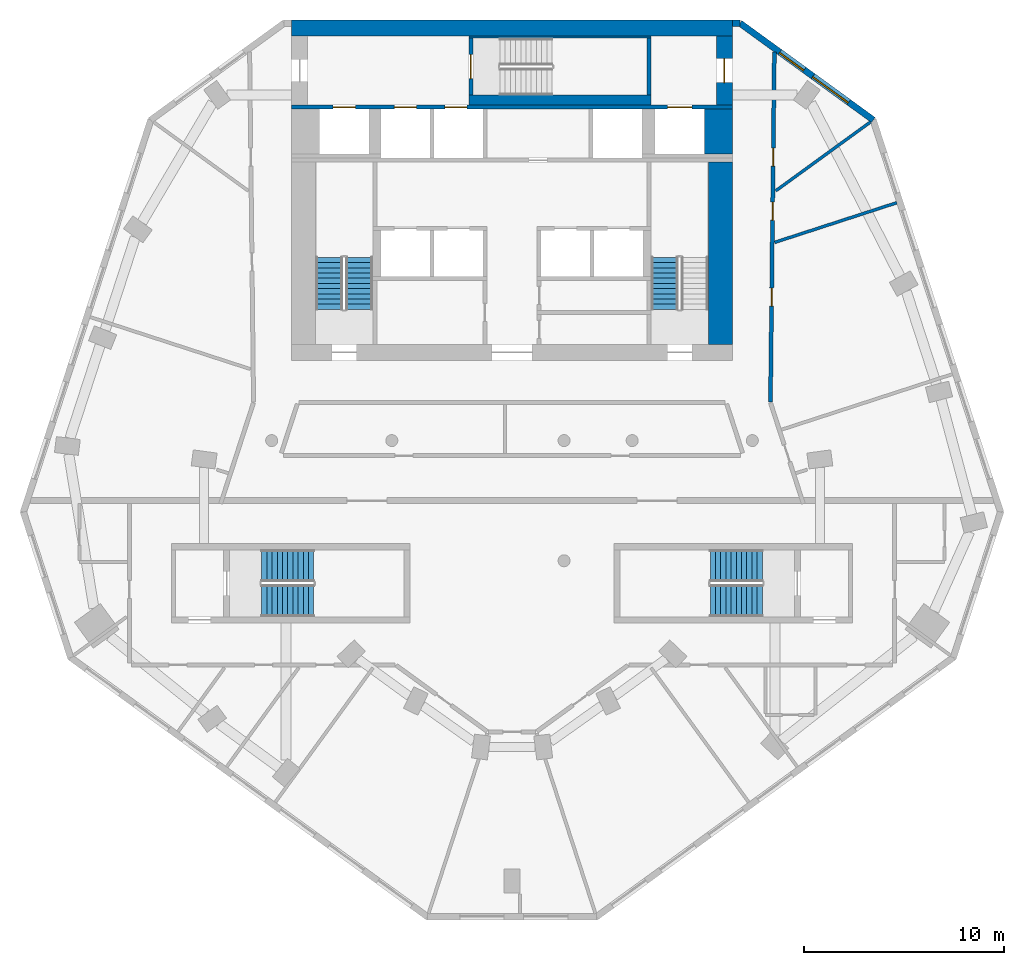
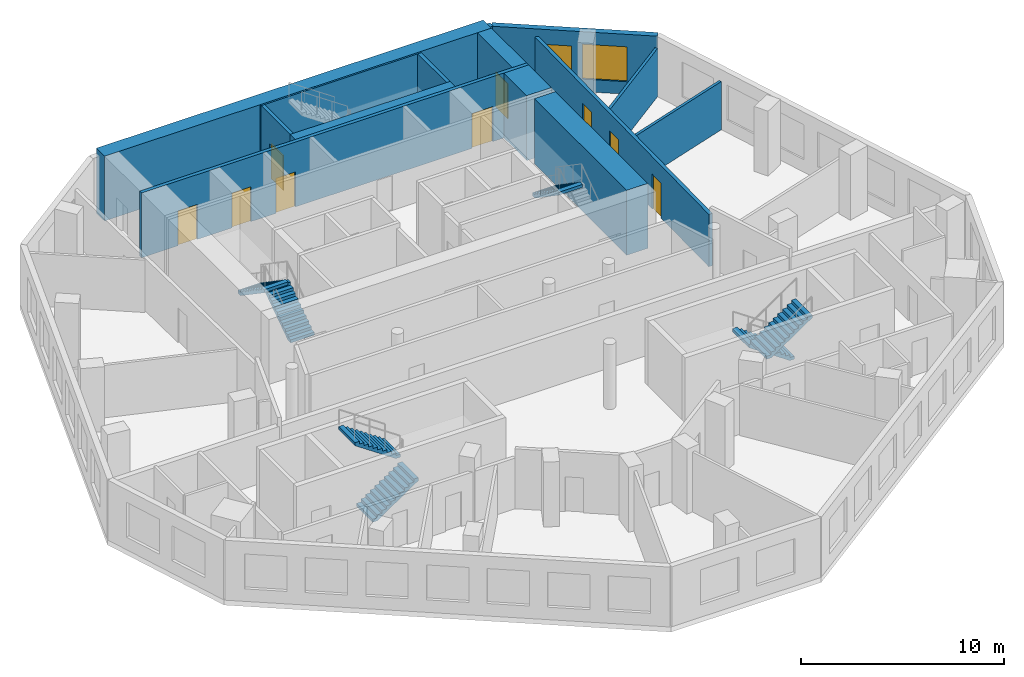
# One storey, part 6 of 9: 14 walls, 9 doors, 7 stair flights, 2 windows, 11 openings, 4 elements without a shape of their own.
"""IFC4 building model written with IfcOpenShell, lengths in metres."""

import ifcopenshell
import ifcopenshell.guid

model = None  # the IFC model being written
_history = None  # IfcOwnerHistory: only IFC2X3 demands one
_inside = {}  # id of a spatial element -> (the spatial element, [elements in it])
_under = {}  # id of a project, library or spatial element -> (it, [spatial elements below it])
_declared = {}  # id of a project -> (the project, [libraries it declares])
_typed = {}  # id of a type object -> (the type object, [elements of that type])
_made_of = {}  # id of a material, layer set ... -> (it, [elements and type objects made of it])


def new_model(schema):
    """Start an empty IFC model of exactly this schema.

    Asked for "IFC4X3", IfcOpenShell would pick the latest addendum, in which some entities
    have other attributes; the version numbers below select the first issue.
    IFC2X3 requires an IfcOwnerHistory on every rooted entity: one is made here for all.
    """
    global model, _history
    if schema == "IFC4X3":
        model = ifcopenshell.file(schema_version=(4, 3, 0, 0))
    else:
        model = ifcopenshell.file(schema=schema)
    _inside.clear()
    _under.clear()
    _declared.clear()
    _typed.clear()
    _made_of.clear()
    _history = None
    if model.schema == "IFC2X3":
        org = make("IfcOrganization", Name="unknown")
        user = make(
            "IfcPersonAndOrganization",
            ThePerson=make("IfcPerson", FamilyName="unknown"),
            TheOrganization=org,
        )
        app = make(
            "IfcApplication",
            ApplicationDeveloper=org,
            Version="unknown",
            ApplicationFullName="unknown",
            ApplicationIdentifier="unknown",
        )
        _history = make(
            "IfcOwnerHistory",
            OwningUser=user,
            OwningApplication=app,
            ChangeAction="ADDED",
            CreationDate=0,
        )
    return model


def make(cls, **values):
    """One entity of the class cls with the attributes given. An attribute that is None is left unset."""
    return model.create_entity(
        cls, **{name: value for name, value in values.items() if value is not None}
    )


def rooted(cls, **values):
    """An entity with a GlobalId (a new one), such as an element, a storey or a relation."""
    return make(cls, GlobalId=ifcopenshell.guid.new(), OwnerHistory=_history, **values)


def si_unit(unit_type, name, prefix=None):
    """IfcSIUnit, for example si_unit("LENGTHUNIT", "METRE", prefix="MILLI")."""
    return make("IfcSIUnit", UnitType=unit_type, Prefix=prefix, Name=name)


def assignment(units):
    """IfcUnitAssignment: the units of a project."""
    return None if units is None else make("IfcUnitAssignment", Units=units)


def point(xyz):
    """IfcCartesianPoint."""
    return None if xyz is None else make("IfcCartesianPoint", Coordinates=xyz)


def direction(xyz):
    """IfcDirection."""
    return None if xyz is None else make("IfcDirection", DirectionRatios=xyz)


def frame(location, z_axis=None, x_axis=None):
    """IfcAxis2Placement3D, a coordinate frame: its origin and axes. An axis left out is left unset."""
    return make(
        "IfcAxis2Placement3D",
        Location=point(location),
        Axis=direction(z_axis),
        RefDirection=direction(x_axis),
    )


def frame_2d(location, x_axis=None):
    """IfcAxis2Placement2D, a coordinate frame in the plane: its origin and x axis."""
    return make(
        "IfcAxis2Placement2D", Location=point(location), RefDirection=direction(x_axis)
    )


def origin():
    """The frame at (0, 0, 0) with its axes left unset."""
    return frame((0.0, 0.0, 0.0))


def place(relative_to, where):
    """IfcLocalPlacement: puts the frame where relative to a parent placement (None: the world)."""
    return make(
        "IfcLocalPlacement", PlacementRelTo=relative_to, RelativePlacement=where
    )


def context(
    kind, dimensions, precision=None, world=None, true_north=None, identifier=None
):
    """IfcGeometricRepresentationContext, for example the 3D "Model" context."""
    return make(
        "IfcGeometricRepresentationContext",
        ContextIdentifier=identifier,
        ContextType=kind,
        CoordinateSpaceDimension=dimensions,
        Precision=precision,
        WorldCoordinateSystem=world,
        TrueNorth=true_north,
    )


def subcontext(parent, identifier, kind, view, scale=None):
    """IfcGeometricRepresentationSubContext, for example "Body" below "Model"."""
    return make(
        "IfcGeometricRepresentationSubContext",
        ContextIdentifier=identifier,
        ContextType=kind,
        ParentContext=parent,
        TargetScale=scale,
        TargetView=view,
    )


def project(units=None, contexts=None):
    """IfcProject with its units and contexts."""
    return rooted(
        "IfcProject",
        Name="project",
        RepresentationContexts=contexts,
        UnitsInContext=assignment(units),
    )


def spatial(cls, under=None, at=None, **own):
    """A site, building, storey or space (cls), placed at a placement, below another one or the project."""
    s = rooted(cls, ObjectPlacement=at, **own)
    if under is not None:
        _under.setdefault(under.id(), (under, []))[1].append(s)
    return s


def polyline(points):
    """IfcPolyline through the points."""
    return make("IfcPolyline", Points=[point(p) for p in points])


def profile(cls, at=None, kind="AREA", **sizes):
    """A parametric profile (cls). Its sizes go by their IFC names, for example OverallWidth=200.0."""
    return make(cls, ProfileType=kind, Position=at, **sizes)


def rectangle(**sizes):
    """IfcRectangleProfileDef."""
    return profile("IfcRectangleProfileDef", **sizes)


def outline(outer, holes=None, kind="AREA"):
    """IfcArbitraryClosedProfileDef: a profile drawn as a closed curve; with holes, ...WithVoids."""
    if holes is None:
        return make("IfcArbitraryClosedProfileDef", ProfileType=kind, OuterCurve=outer)
    return make(
        "IfcArbitraryProfileDefWithVoids",
        ProfileType=kind,
        OuterCurve=outer,
        InnerCurves=holes,
    )


def extrude(swept, where, along, depth):
    """IfcExtrudedAreaSolid: the profile swept, set in the frame where, extruded along a direction by depth."""
    return make(
        "IfcExtrudedAreaSolid",
        SweptArea=swept,
        Position=where,
        ExtrudedDirection=direction(along),
        Depth=depth,
    )


def shape(context_of_items, identifier, shape_type, items):
    """IfcShapeRepresentation: the items that make up one representation, for example the "Body"."""
    return make(
        "IfcShapeRepresentation",
        ContextOfItems=context_of_items,
        RepresentationIdentifier=identifier,
        RepresentationType=shape_type,
        Items=items,
    )


def material(Name=None, Category=None):
    """IfcMaterial."""
    return make("IfcMaterial", Name=Name, Category=Category)


def layer(
    of_material, thickness, ventilated=None, Name=None, Category=None, Priority=None
):
    """IfcMaterialLayer: one layer of a wall or slab, of a material (None: an air gap)."""
    return make(
        "IfcMaterialLayer",
        Material=of_material,
        LayerThickness=thickness,
        IsVentilated=ventilated,
        Name=Name,
        Category=Category,
        Priority=Priority,
    )


def layer_set(layers, Name=None):
    """IfcMaterialLayerSet."""
    return make("IfcMaterialLayerSet", MaterialLayers=layers, LayerSetName=Name)


def made_of(thing, what):
    """Note that an element or type object is made of a material, layer set ...; save() writes the relation."""
    if what is not None:
        _made_of.setdefault(what.id(), (what, []))[1].append(thing)
    return thing


def type_object(cls, material=None, **own):
    """A type object (cls), such as IfcWallType, which elements share."""
    return made_of(rooted(cls, **own), material)


def element(
    cls,
    number,
    at=None,
    inside=None,
    cuts=None,
    type_object=None,
    material=None,
    context=None,
    identifier="Body",
    shape_type=None,
    held_by="IfcProductDefinitionShape",
    body=None,
    shapes=None,
    **own,
):
    """One element of the class cls, such as IfcWall. Its Tag is "e" and its number.

    at: its placement. inside: the storey or other place that contains it. cuts: it is an
    opening in that element (IfcRelVoidsElement). A single representation is given by context,
    identifier, shape_type and body (its items); several are given by shapes. held_by: the class
    of the entity that holds the representations. save() writes the other relations.
    """
    e = rooted(cls, Tag="e%d" % number, ObjectPlacement=at, **own)
    if body is not None:
        shapes = [shape(context, identifier, shape_type, body)]
    if shapes is not None:
        e.Representation = make(held_by, Representations=shapes)
    if inside is not None:
        _inside.setdefault(inside.id(), (inside, []))[1].append(e)
    if cuts is not None:
        rooted(
            "IfcRelVoidsElement", RelatingBuildingElement=cuts, RelatedOpeningElement=e
        )
    if type_object is not None:
        _typed.setdefault(type_object.id(), (type_object, []))[1].append(e)
    return made_of(e, material)


def fill(opening, filler):
    """IfcRelFillsElement: the door or window that sits in an opening."""
    return rooted(
        "IfcRelFillsElement",
        RelatingOpeningElement=opening,
        RelatedBuildingElement=filler,
    )


def aggregate(whole, parts):
    """IfcRelAggregates: a whole, such as a stair, and the parts it consists of."""
    return rooted("IfcRelAggregates", RelatingObject=whole, RelatedObjects=parts)


def save(model, path):
    """Write the relations noted so far, then the file.

    IfcRelAggregates (storeys below a building ...), IfcRelContainedInSpatialStructure (elements
    in a storey), IfcRelDefinesByType, IfcRelAssociatesMaterial and IfcRelDeclares: one each for
    every whole, place, type object, material and project.
    """
    for whole, parts in _under.values():
        aggregate(whole, parts)
    for where, things in _inside.values():
        rooted(
            "IfcRelContainedInSpatialStructure",
            RelatedElements=things,
            RelatingStructure=where,
        )
    for kind, things in _typed.values():
        rooted("IfcRelDefinesByType", RelatedObjects=things, RelatingType=kind)
    for what, things in _made_of.values():
        rooted("IfcRelAssociatesMaterial", RelatedObjects=things, RelatingMaterial=what)
    for by, libraries in _declared.values():
        rooted("IfcRelDeclares", RelatingContext=by, RelatedDefinitions=libraries)
    model.write(path)


model = new_model("IFC4")

# Units and contexts
model_context = context("Model", 3, precision=1e-05, world=origin(), true_north=direction((0.0, 1.0)))
body_context = subcontext(model_context, "Body", "Model", "MODEL_VIEW")
ifc_project = project(units=[si_unit("LENGTHUNIT", "METRE"), si_unit("AREAUNIT", "SQUARE_METRE"), si_unit("VOLUMEUNIT", "CUBIC_METRE"), si_unit("PLANEANGLEUNIT", "RADIAN"), si_unit("MASSUNIT", "GRAM", prefix="KILO")], contexts=[model_context])

# Site, building, storey
site_placement = place(None, origin())
site = spatial("IfcSite", under=ifc_project, at=site_placement, CompositionType="ELEMENT")
building_placement = place(site_placement, origin())
building = spatial("IfcBuilding", under=site, at=building_placement, Name="White Candle Pilgrim Tower", CompositionType="ELEMENT")
storey_placement = place(building_placement, frame((0.0, 0.0, 227.699951171875)))
storey = spatial("IfcBuildingStorey", under=building, at=storey_placement, Name="L53", CompositionType="ELEMENT", Elevation=227.699951171875)

# Wall
ifc_material_1 = material(Name="Concrete C50/60", Category="concrete")
ifc_layer_1 = layer(ifc_material_1, 1.39990234375)
ifc_layer_set_1 = layer_set([ifc_layer_1], Name="Core wall 1400 mm Concrete C50/60")
wall_type_1 = type_object("IfcWallType", Name="Core wall 1400 mm Concrete C50/60", PredefinedType="SHEAR", material=ifc_layer_set_1)
wall_1_placement = place(storey_placement, frame((80.300048828125, 81.300048828125, 0.0), z_axis=(0.0, 0.0, 1.0), x_axis=(0.0, 1.0, 0.0)))
element("IfcWall", 1, at=wall_1_placement, inside=storey, type_object=wall_type_1, Name="WL-L53-C42", PredefinedType="SHEAR", context=body_context, shape_type="SweptSolid", body=[
    extrude(rectangle(XDim=2.25, YDim=1.39990234375, at=frame_2d((1.125, 0.0))), origin(), (0.0, 0.0, 1.0), 3.900146484375),
])

# Wall, openings, doors
ifc_layer_2 = layer(ifc_material_1, 0.199951171875)
ifc_layer_set_2 = layer_set([ifc_layer_2], Name="Core wall 200 mm Concrete C50/60")
wall_type_2 = type_object("IfcWallType", Name="Core wall 200 mm Concrete C50/60", PredefinedType="SHEAR", material=ifc_layer_set_2)
wall_2_placement = place(storey_placement, frame((59.0, 83.64990234375, 0.0), z_axis=(0.0, 0.0, 1.0), x_axis=(1.0, 0.0, 0.0)))
wall_2 = element("IfcWall", 2, at=wall_2_placement, inside=storey, type_object=wall_type_2, Name="WL-L53-C43", PredefinedType="SHEAR", context=body_context, shape_type="SweptSolid", body=[
    extrude(rectangle(XDim=22.0, YDim=0.199951171875, at=frame_2d((11.0, 0.0))), origin(), (0.0, 0.0, 1.0), 3.900146484375),
])
opening_1_placement = place(wall_2_placement, frame((5.125, 0.0, 0.0)))
opening_1 = element("IfcOpeningElement", 3, at=opening_1_placement, cuts=wall_2, Name="Opening T16-018", PredefinedType="OPENING", context=body_context, shape_type="SweptSolid", body=[
    extrude(rectangle(XDim=1.10009765625, YDim=2.10009765625, at=frame_2d((0.550048828125, 1.050048828125))), frame((0.0, 0.10986328125, 0.0), z_axis=(0.0, -1.0, 0.0), x_axis=(1.0, 0.0, 0.0)), (0.0, 0.0, 1.0), 0.219970703125),
])
opening_2_placement = place(wall_2_placement, frame((7.64990234375, 0.0, 0.0)))
opening_2 = element("IfcOpeningElement", 4, at=opening_2_placement, cuts=wall_2, Name="Opening T16-019", PredefinedType="OPENING", context=body_context, shape_type="SweptSolid", body=[
    extrude(rectangle(XDim=1.10009765625, YDim=2.10009765625, at=frame_2d((0.550048828125, 1.050048828125))), frame((0.0, 0.10986328125, 0.0), z_axis=(0.0, -1.0, 0.0), x_axis=(1.0, 0.0, 0.0)), (0.0, 0.0, 1.0), 0.219970703125),
])
opening_3_placement = place(wall_2_placement, frame((18.77490234375, 0.0, 0.0)))
opening_3 = element("IfcOpeningElement", 5, at=opening_3_placement, cuts=wall_2, Name="Opening T16-020", PredefinedType="OPENING", context=body_context, shape_type="SweptSolid", body=[
    extrude(rectangle(XDim=1.199951171875, YDim=2.10009765625, at=frame_2d((0.60009765625, 1.050048828125))), frame((0.0, 0.10986328125, 0.0), z_axis=(0.0, -1.0, 0.0), x_axis=(1.0, 0.0, 0.0)), (0.0, 0.0, 1.0), 0.219970703125),
])
opening_4_placement = place(wall_2_placement, frame((2.074951171875, 0.0, 0.0)))
opening_4 = element("IfcOpeningElement", 6, at=opening_4_placement, cuts=wall_2, Name="Opening T16-021", PredefinedType="OPENING", context=body_context, shape_type="SweptSolid", body=[
    extrude(rectangle(XDim=1.10009765625, YDim=2.10009765625, at=frame_2d((0.550048828125, 1.050048828125))), frame((0.0, 0.10986328125, 0.0), z_axis=(0.0, -1.0, 0.0), x_axis=(1.0, 0.0, 0.0)), (0.0, 0.0, 1.0), 0.219970703125),
])
ifc_material_2 = material(Name="Stainless steel", Category="steel")
door_type_1 = type_object("IfcDoorType", Name="Lift landing door 1100 x 2100 EI 60", OperationType="DOUBLE_DOOR_SLIDING", PredefinedType="DOOR", material=ifc_material_2)
door_1_placement = place(opening_1_placement, origin())
door_1 = element("IfcDoor", 7, at=door_1_placement, inside=storey, type_object=door_type_1, Name="Door T16-018", OperationType="DOUBLE_DOOR_SLIDING", OverallHeight=2.10009765625, OverallWidth=1.10009765625, PredefinedType="DOOR", context=body_context, shape_type="SweptSolid", body=[
    extrude(rectangle(XDim=1.10009765625, YDim=2.10009765625, at=frame_2d((0.550048828125, 1.050048828125))), frame((0.0, 0.02490234375, 0.0), z_axis=(0.0, -1.0, 0.0), x_axis=(1.0, 0.0, 0.0)), (0.0, 0.0, 1.0), 0.050048828125),
])
fill(opening_1, door_1)
door_2_placement = place(opening_2_placement, origin())
door_2 = element("IfcDoor", 8, at=door_2_placement, inside=storey, type_object=door_type_1, Name="Door T16-019", OperationType="DOUBLE_DOOR_SLIDING", OverallHeight=2.10009765625, OverallWidth=1.10009765625, PredefinedType="DOOR", context=body_context, shape_type="SweptSolid", body=[
    extrude(rectangle(XDim=1.10009765625, YDim=2.10009765625, at=frame_2d((0.550048828125, 1.050048828125))), frame((0.0, 0.02490234375, 0.0), z_axis=(0.0, -1.0, 0.0), x_axis=(1.0, 0.0, 0.0)), (0.0, 0.0, 1.0), 0.050048828125),
])
fill(opening_2, door_2)
door_3_placement = place(opening_4_placement, origin())
door_3 = element("IfcDoor", 9, at=door_3_placement, inside=storey, type_object=door_type_1, Name="Door T16-021", OperationType="DOUBLE_DOOR_SLIDING", OverallHeight=2.10009765625, OverallWidth=1.10009765625, PredefinedType="DOOR", context=body_context, shape_type="SweptSolid", body=[
    extrude(rectangle(XDim=1.10009765625, YDim=2.10009765625, at=frame_2d((0.550048828125, 1.050048828125))), frame((0.0, 0.02490234375, 0.0), z_axis=(0.0, -1.0, 0.0), x_axis=(1.0, 0.0, 0.0)), (0.0, 0.0, 1.0), 0.050048828125),
])
fill(opening_4, door_3)
door_type_2 = type_object("IfcDoorType", Name="Lift landing door 1200 x 2100 E 60", OperationType="DOUBLE_DOOR_SLIDING", PredefinedType="DOOR", material=ifc_material_2)
door_4_placement = place(opening_3_placement, origin())
door_4 = element("IfcDoor", 10, at=door_4_placement, inside=storey, type_object=door_type_2, Name="Door T16-020", OperationType="DOUBLE_DOOR_SLIDING", OverallHeight=2.10009765625, OverallWidth=1.199951171875, PredefinedType="DOOR", context=body_context, shape_type="SweptSolid", body=[
    extrude(rectangle(XDim=1.199951171875, YDim=2.10009765625, at=frame_2d((0.60009765625, 1.050048828125))), frame((0.0, 0.02490234375, 0.0), z_axis=(0.0, -1.0, 0.0), x_axis=(1.0, 0.0, 0.0)), (0.0, 0.0, 1.0), 0.050048828125),
])
fill(opening_3, door_4)

# Wall, opening, door
ifc_layer_3 = layer(ifc_material_1, 0.800048828125)
ifc_layer_set_3 = layer_set([ifc_layer_3], Name="Core wall 800 mm Concrete C50/60")
wall_type_3 = type_object("IfcWallType", Name="Core wall 800 mm Concrete C50/60", PredefinedType="SHEAR", material=ifc_layer_set_3)
wall_3_placement = place(storey_placement, frame((80.60009765625, 83.75, 0.0), z_axis=(0.0, 0.0, 1.0), x_axis=(0.0, 1.0, 0.0)))
wall_3 = element("IfcWall", 11, at=wall_3_placement, inside=storey, type_object=wall_type_3, Name="WL-L53-C46", PredefinedType="SHEAR", context=body_context, shape_type="SweptSolid", body=[
    extrude(rectangle(XDim=3.449951171875, YDim=0.800048828125, at=frame_2d((1.72509765625, 0.0))), origin(), (0.0, 0.0, 1.0), 3.900146484375),
])
opening_5_placement = place(wall_3_placement, frame((1.125, 0.0, 0.0)))
opening_5 = element("IfcOpeningElement", 12, at=opening_5_placement, cuts=wall_3, Name="Opening T16-009", PredefinedType="OPENING", context=body_context, shape_type="SweptSolid", body=[
    extrude(rectangle(XDim=1.199951171875, YDim=2.10009765625, at=frame_2d((0.60009765625, 1.050048828125))), frame((0.0, 0.409912109375, 0.0), z_axis=(0.0, -1.0, 0.0), x_axis=(1.0, 0.0, 0.0)), (0.0, 0.0, 1.0), 0.820068359375),
])
ifc_material_3 = material(Name="Steel door leaf", Category="steel")
door_type_3 = type_object("IfcDoorType", Name="Fire door 1200 x 2100 EI 30", OperationType="NOTDEFINED", PredefinedType="DOOR", material=ifc_material_3)
door_5_placement = place(opening_5_placement, origin())
door_5 = element("IfcDoor", 13, at=door_5_placement, inside=storey, type_object=door_type_3, Name="Door T16-009", OperationType="SINGLE_SWING_LEFT", OverallHeight=2.10009765625, OverallWidth=1.199951171875, PredefinedType="DOOR", context=body_context, shape_type="SweptSolid", body=[
    extrude(rectangle(XDim=1.199951171875, YDim=2.10009765625, at=frame_2d((0.60009765625, 1.050048828125))), frame((0.0, 0.02490234375, 0.0), z_axis=(0.0, -1.0, 0.0), x_axis=(1.0, 0.0, 0.0)), (0.0, 0.0, 1.0), 0.050048828125),
])
fill(opening_5, door_5)

# Wall
wall_4_placement = place(storey_placement, frame((59.0, 87.60009765625, 0.0), z_axis=(0.0, 0.0, 1.0), x_axis=(1.0, 0.0, 0.0)))
element("IfcWall", 14, at=wall_4_placement, inside=storey, type_object=wall_type_3, Name="WL-L53-C50", PredefinedType="SHEAR", context=body_context, shape_type="SweptSolid", body=[
    extrude(rectangle(XDim=22.0, YDim=0.800048828125, at=frame_2d((11.0, 0.0))), origin(), (0.0, 0.0, 1.0), 3.900146484375),
])

# Wall, openings, doors
ifc_material_4 = material(Name="Gypsum board on steel studs", Category="steel")
ifc_layer_4 = layer(ifc_material_4, 0.199951171875)
ifc_layer_set_4 = layer_set([ifc_layer_4], Name="Corridor wall 200 mm EI 45")
wall_type_4 = type_object("IfcWallType", Name="Corridor wall 200 mm EI 45", PredefinedType="PARTITIONING", material=ifc_layer_set_4)
wall_5_placement = place(storey_placement, frame((83.10009765625, 86.396240234375, 0.0), z_axis=(0.0, 0.0, 1.0), x_axis=(-0.011158990621, -0.999937736526, 0.0)))
wall_5 = element("IfcWall", 15, at=wall_5_placement, inside=storey, type_object=wall_type_4, Name="WL-L53-P004", PredefinedType="PARTITIONING", context=body_context, shape_type="SweptSolid", body=[
    extrude(rectangle(XDim=17.480712890625, YDim=0.199951171875, at=frame_2d((8.740234375, 0.0))), origin(), (0.0, 0.0, 1.0), 3.150146484375),
])
opening_6_placement = place(wall_5_placement, frame((4.794189453125, 0.0, 0.0)))
opening_6 = element("IfcOpeningElement", 16, at=opening_6_placement, cuts=wall_5, Name="Opening T16-120", PredefinedType="OPENING", context=body_context, shape_type="SweptSolid", body=[
    extrude(rectangle(XDim=0.89990234375, YDim=2.10009765625, at=frame_2d((0.449951171875, 1.050048828125))), frame((0.0, 0.10986328125, 0.0), z_axis=(0.0, -1.0, 0.0), x_axis=(1.0, 0.0, 0.0)), (0.0, 0.0, 1.0), 0.219970703125),
])
opening_7_placement = place(wall_5_placement, frame((7.4951171875, 0.0, 0.0)))
opening_7 = element("IfcOpeningElement", 17, at=opening_7_placement, cuts=wall_5, Name="Opening T16-121", PredefinedType="OPENING", context=body_context, shape_type="SweptSolid", body=[
    extrude(rectangle(XDim=0.89990234375, YDim=2.10009765625, at=frame_2d((0.449951171875, 1.050048828125))), frame((0.0, 0.10986328125, 0.0), z_axis=(0.0, -1.0, 0.0), x_axis=(1.0, 0.0, 0.0)), (0.0, 0.0, 1.0), 0.219970703125),
])
opening_8_placement = place(wall_5_placement, frame((11.78662109375, 0.0, 0.0)))
opening_8 = element("IfcOpeningElement", 18, at=opening_8_placement, cuts=wall_5, Name="Opening T16-122", PredefinedType="OPENING", context=body_context, shape_type="SweptSolid", body=[
    extrude(rectangle(XDim=0.89990234375, YDim=2.10009765625, at=frame_2d((0.449951171875, 1.050048828125))), frame((0.0, 0.10986328125, 0.0), z_axis=(0.0, -1.0, 0.0), x_axis=(1.0, 0.0, 0.0)), (0.0, 0.0, 1.0), 0.219970703125),
])
door_type_4 = type_object("IfcDoorType", Name="Fire door 900 x 2100 EI 30", OperationType="NOTDEFINED", PredefinedType="DOOR", material=ifc_material_3)
door_6_placement = place(opening_6_placement, origin())
door_6 = element("IfcDoor", 19, at=door_6_placement, inside=storey, type_object=door_type_4, Name="Door T16-120", OperationType="SINGLE_SWING_RIGHT", OverallHeight=2.10009765625, OverallWidth=0.89990234375, PredefinedType="DOOR", context=body_context, shape_type="SweptSolid", body=[
    extrude(rectangle(XDim=0.89990234375, YDim=2.10009765625, at=frame_2d((0.449951171875, 1.050048828125))), frame((0.0, 0.02490234375, 0.0), z_axis=(0.0, -1.0, 0.0), x_axis=(1.0, 0.0, 0.0)), (0.0, 0.0, 1.0), 0.050048828125),
])
fill(opening_6, door_6)
door_7_placement = place(opening_7_placement, origin())
door_7 = element("IfcDoor", 20, at=door_7_placement, inside=storey, type_object=door_type_4, Name="Door T16-121", OperationType="SINGLE_SWING_LEFT", OverallHeight=2.10009765625, OverallWidth=0.89990234375, PredefinedType="DOOR", context=body_context, shape_type="SweptSolid", body=[
    extrude(rectangle(XDim=0.89990234375, YDim=2.10009765625, at=frame_2d((0.449951171875, 1.050048828125))), frame((0.0, 0.02490234375, 0.0), z_axis=(0.0, -1.0, 0.0), x_axis=(1.0, 0.0, 0.0)), (0.0, 0.0, 1.0), 0.050048828125),
])
fill(opening_7, door_7)
door_8_placement = place(opening_8_placement, origin())
door_8 = element("IfcDoor", 21, at=door_8_placement, inside=storey, type_object=door_type_4, Name="Door T16-122", OperationType="SINGLE_SWING_RIGHT", OverallHeight=2.10009765625, OverallWidth=0.89990234375, PredefinedType="DOOR", context=body_context, shape_type="SweptSolid", body=[
    extrude(rectangle(XDim=0.89990234375, YDim=2.10009765625, at=frame_2d((0.449951171875, 1.050048828125))), frame((0.0, 0.02490234375, 0.0), z_axis=(0.0, -1.0, 0.0), x_axis=(1.0, 0.0, 0.0)), (0.0, 0.0, 1.0), 0.050048828125),
])
fill(opening_8, door_8)

# Wall, openings, windows
ifc_material_5 = material(Name="Precast concrete C40/50", Category="concrete")
ifc_layer_5 = layer(ifc_material_5, 0.320068359375)
ifc_layer_set_5 = layer_set([ifc_layer_5], Name="Facade wall EW1 precast concrete C40/50 pier wall with timber-lined reveals")
wall_type_5 = type_object("IfcWallType", Name="Facade wall EW1 precast concrete C40/50 pier wall with timber-lined reveals", PredefinedType="SOLIDWALL", material=ifc_layer_set_5)
wall_6_placement = place(storey_placement, frame((88.03662109375, 83.00732421875, 0.0), z_axis=(0.0, 0.0, 1.0), x_axis=(-0.809012068833, 0.587792031659, 0.0)))
wall_6 = element("IfcWall", 22, at=wall_6_placement, inside=storey, type_object=wall_type_5, Name="Facade wall L53 NE chamfer", PredefinedType="SOLIDWALL", context=body_context, shape_type="SweptSolid", body=[
    extrude(rectangle(XDim=8.221923828125, YDim=0.320068359375, at=frame_2d((4.11083984375, 0.0))), origin(), (0.0, 0.0, 1.0), 3.60009765625),
])
opening_9_placement = place(wall_6_placement, frame((1.510986328125, 0.0, 0.75)))
opening_9 = element("IfcOpeningElement", 23, at=opening_9_placement, cuts=wall_6, Name="Opening W4", PredefinedType="OPENING", context=body_context, shape_type="SweptSolid", body=[
    extrude(rectangle(XDim=2.199951171875, YDim=2.10009765625, at=frame_2d((1.10009765625, 1.050048828125))), frame((0.0, 0.169921875, 0.0), z_axis=(0.0, -1.0, 0.0), x_axis=(1.0, 0.0, 0.0)), (0.0, 0.0, 1.0), 0.340087890625),
])
opening_10_placement = place(wall_6_placement, frame((4.262939453125, 0.0, 0.89990234375)))
opening_10 = element("IfcOpeningElement", 24, at=opening_10_placement, cuts=wall_6, Name="Opening W1", PredefinedType="OPENING", context=body_context, shape_type="SweptSolid", body=[
    extrude(rectangle(XDim=1.5, YDim=1.800048828125, at=frame_2d((0.75, 0.89990234375))), frame((0.0, 0.169921875, 0.0), z_axis=(0.0, -1.0, 0.0), x_axis=(1.0, 0.0, 0.0)), (0.0, 0.0, 1.0), 0.340087890625),
])
ifc_material_6 = material(Name="Timber frame with triple glazing", Category="wood")
window_type_1 = type_object("IfcWindowType", Name="Window W1 1500x1800 timber frame triple glazing", PartitioningType="SINGLE_PANEL", PredefinedType="WINDOW", material=ifc_material_6)
window_1_placement = place(opening_10_placement, origin())
window_1 = element("IfcWindow", 25, at=window_1_placement, inside=storey, type_object=window_type_1, Name="Window W1 L53 NE chamfer 2", OverallHeight=1.800048828125, OverallWidth=1.5, PartitioningType="SINGLE_PANEL", PredefinedType="WINDOW", context=body_context, shape_type="SweptSolid", body=[
    extrude(rectangle(XDim=1.5, YDim=1.800048828125, at=frame_2d((0.75, 0.89990234375))), frame((0.0, 0.070068359375, 0.0), z_axis=(0.0, -1.0, 0.0), x_axis=(1.0, 0.0, 0.0)), (0.0, 0.0, 1.0), 0.06005859375),
])
fill(opening_10, window_1)
window_type_2 = type_object("IfcWindowType", Name="Window W4 2200x2100 timber frame triple glazing", PartitioningType="SINGLE_PANEL", PredefinedType="WINDOW", material=ifc_material_6)
window_2_placement = place(opening_9_placement, origin())
window_2 = element("IfcWindow", 26, at=window_2_placement, inside=storey, type_object=window_type_2, Name="Window W4 L53 NE chamfer 1", OverallHeight=2.10009765625, OverallWidth=2.199951171875, PartitioningType="SINGLE_PANEL", PredefinedType="WINDOW", context=body_context, shape_type="SweptSolid", body=[
    extrude(rectangle(XDim=2.199951171875, YDim=2.10009765625, at=frame_2d((1.10009765625, 1.050048828125))), frame((0.0, 0.070068359375, 0.0), z_axis=(0.0, -1.0, 0.0), x_axis=(1.0, 0.0, 0.0)), (0.0, 0.0, 1.0), 0.06005859375),
])
fill(opening_9, window_2)

# Walls
wall_7_placement = place(storey_placement, frame((81.385009765625, 87.840087890625, 0.0), z_axis=(0.0, 0.0, 1.0), x_axis=(-1.0, 0.0, 0.0)))
element("IfcWall", 27, at=wall_7_placement, inside=storey, type_object=wall_type_5, Name="Facade wall L53 N", PredefinedType="SOLIDWALL", context=body_context, shape_type="SweptSolid", body=[
    extrude(rectangle(XDim=0.385009765625, YDim=0.320068359375, at=frame_2d((0.1923828125, 0.0))), origin(), (0.0, 0.0, 1.0), 3.60009765625),
])
ifc_layer_6 = layer(ifc_material_4, 0.14990234375)
ifc_layer_set_6 = layer_set([ifc_layer_6], Name="Partition 150 mm EI 60")
wall_type_6 = type_object("IfcWallType", Name="Partition 150 mm EI 60", PredefinedType="PARTITIONING", material=ifc_layer_set_6)
wall_8_placement = place(storey_placement, frame((87.900390625, 82.908447265625, 0.0), z_axis=(0.0, 0.0, 1.0), x_axis=(-0.80901210161, -0.587791986546, 0.0)))
element("IfcWall", 28, at=wall_8_placement, inside=storey, type_object=wall_type_6, Name="WL-L53-P022", PredefinedType="PARTITIONING", context=body_context, shape_type="SweptSolid", body=[
    extrude(rectangle(XDim=5.850341796875, YDim=0.14990234375, at=frame_2d((2.92529296875, 0.0))), origin(), (0.0, 0.0, 1.0), 2.900146484375),
])
wall_9_placement = place(storey_placement, frame((89.21044921875, 78.87646484375, 0.0), z_axis=(0.0, 0.0, 1.0), x_axis=(-0.951060671831, -0.309004204657, 0.0)))
element("IfcWall", 29, at=wall_9_placement, inside=storey, type_object=wall_type_6, Name="WL-L53-P037", PredefinedType="PARTITIONING", context=body_context, shape_type="SweptSolid", body=[
    extrude(rectangle(XDim=6.406005859375, YDim=0.14990234375, at=frame_2d((3.203125, 0.0))), origin(), (0.0, 0.0, 1.0), 2.900146484375),
])
ifc_layer_7 = layer(ifc_material_1, 0.10009765625)
ifc_layer_set_7 = layer_set([ifc_layer_7], Name="Stair shaft wall 100 mm Concrete C50/60")
wall_type_7 = type_object("IfcWallType", Name="Stair shaft wall 100 mm Concrete C50/60", PredefinedType="SHEAR", material=ifc_layer_set_7)
wall_10_placement = place(storey_placement, frame((67.85009765625, 87.14990234375, 0.0), z_axis=(0.0, 0.0, 1.0), x_axis=(1.0, 0.0, 0.0)))
element("IfcWall", 30, at=wall_10_placement, inside=storey, type_object=wall_type_7, Name="WL-L53-C49", PredefinedType="SHEAR", context=body_context, shape_type="SweptSolid", body=[
    extrude(rectangle(XDim=9.099853515625, YDim=0.10009765625, at=frame_2d((4.5498046875, 0.0))), origin(), (0.0, 0.0, 1.0), 3.900146484375),
])
ifc_layer_8 = layer(ifc_material_1, 1.199951171875)
ifc_layer_set_8 = layer_set([ifc_layer_8], Name="Stair shaft wall 1200 mm Concrete C50/60")
wall_type_8 = type_object("IfcWallType", Name="Stair shaft wall 1200 mm Concrete C50/60", PredefinedType="SHEAR", material=ifc_layer_set_8)
wall_11_placement = place(storey_placement, frame((80.39990234375, 71.800048828125, 0.0), z_axis=(0.0, 0.0, 1.0), x_axis=(0.0, 1.0, 0.0)))
element("IfcWall", 31, at=wall_11_placement, inside=storey, type_object=wall_type_8, Name="WL-L53-C17", PredefinedType="SHEAR", context=body_context, shape_type="SweptSolid", body=[
    extrude(rectangle(XDim=9.099853515625, YDim=1.199951171875, at=frame_2d((4.5498046875, 0.0))), origin(), (0.0, 0.0, 1.0), 3.900146484375),
])

# Wall, opening, door
ifc_layer_9 = layer(ifc_material_1, 0.199951171875)
ifc_layer_set_9 = layer_set([ifc_layer_9], Name="Stair shaft wall 200 mm Concrete C50/60")
wall_type_9 = type_object("IfcWallType", Name="Stair shaft wall 200 mm Concrete C50/60", PredefinedType="SHEAR", material=ifc_layer_set_9)
wall_12_placement = place(storey_placement, frame((67.949951171875, 84.25, 0.0), z_axis=(0.0, 0.0, 1.0), x_axis=(0.0, 1.0, 0.0)))
wall_12 = element("IfcWall", 32, at=wall_12_placement, inside=storey, type_object=wall_type_9, Name="WL-L53-C47", PredefinedType="SHEAR", context=body_context, shape_type="SweptSolid", body=[
    extrude(rectangle(XDim=2.85009765625, YDim=0.199951171875, at=frame_2d((1.425048828125, 0.0))), origin(), (0.0, 0.0, 1.0), 3.900146484375),
])
opening_11_placement = place(wall_12_placement, frame((0.824951171875, 0.0, 0.0)))
opening_11 = element("IfcOpeningElement", 33, at=opening_11_placement, cuts=wall_12, Name="Opening T16-003", PredefinedType="OPENING", context=body_context, shape_type="SweptSolid", body=[
    extrude(rectangle(XDim=1.199951171875, YDim=2.10009765625, at=frame_2d((0.60009765625, 1.050048828125))), frame((0.0, 0.10986328125, 0.0), z_axis=(0.0, -1.0, 0.0), x_axis=(1.0, 0.0, 0.0)), (0.0, 0.0, 1.0), 0.219970703125),
])
door_type_5 = type_object("IfcDoorType", Name="Fire door 1200 x 2100 EI 60", OperationType="NOTDEFINED", PredefinedType="DOOR", material=ifc_material_3)
door_9_placement = place(opening_11_placement, frame((1.199951171875, 0.0, 0.0), z_axis=(0.0, 0.0, 1.0), x_axis=(-1.0, 0.0, 0.0)))
door_9 = element("IfcDoor", 34, at=door_9_placement, inside=storey, type_object=door_type_5, Name="Door T16-003", OperationType="SINGLE_SWING_RIGHT", OverallHeight=2.10009765625, OverallWidth=1.199951171875, PredefinedType="DOOR", context=body_context, shape_type="SweptSolid", body=[
    extrude(rectangle(XDim=1.199951171875, YDim=2.10009765625, at=frame_2d((0.60009765625, 1.050048828125))), frame((0.0, 0.02490234375, 0.0), z_axis=(0.0, -1.0, 0.0), x_axis=(1.0, 0.0, 0.0)), (0.0, 0.0, 1.0), 0.050048828125),
])
fill(opening_11, door_9)

# Walls
wall_13_placement = place(storey_placement, frame((76.85009765625, 84.25, 0.0), z_axis=(0.0, 0.0, 1.0), x_axis=(0.0, 1.0, 0.0)))
element("IfcWall", 35, at=wall_13_placement, inside=storey, type_object=wall_type_9, Name="WL-L53-C48", PredefinedType="SHEAR", context=body_context, shape_type="SweptSolid", body=[
    extrude(rectangle(XDim=2.85009765625, YDim=0.199951171875, at=frame_2d((1.425048828125, 0.0))), origin(), (0.0, 0.0, 1.0), 3.900146484375),
])
ifc_layer_10 = layer(ifc_material_1, 0.5)
ifc_layer_set_10 = layer_set([ifc_layer_10], Name="Stair shaft wall 500 mm Concrete C50/60")
wall_type_10 = type_object("IfcWallType", Name="Stair shaft wall 500 mm Concrete C50/60", PredefinedType="SHEAR", material=ifc_layer_set_10)
wall_14_placement = place(storey_placement, frame((67.85009765625, 84.0, 0.0), z_axis=(0.0, 0.0, 1.0), x_axis=(1.0, 0.0, 0.0)))
element("IfcWall", 36, at=wall_14_placement, inside=storey, type_object=wall_type_10, Name="WL-L53-C45", PredefinedType="SHEAR", context=body_context, shape_type="SweptSolid", body=[
    extrude(rectangle(XDim=9.099853515625, YDim=0.5, at=frame_2d((4.5498046875, 0.0))), origin(), (0.0, 0.0, 1.0), 3.900146484375),
])

# Stair, stair flights
ifc_material_7 = material(Name="Concrete C40/50", Category="concrete")
stair_type_1 = type_object("IfcStairType", Name="Exit stair 1 flight width 1350 mm", PredefinedType="HALF_TURN_STAIR", material=ifc_material_7)
stair_1_placement = place(storey_placement, origin())
stair_1 = element("IfcStair", 37, at=stair_1_placement, inside=storey, type_object=stair_type_1, Name="L53 stair 1", PredefinedType="NOTDEFINED")
ifc_layer_11 = layer(ifc_material_7, 0.14990234375)
ifc_layer_set_11 = layer_set([ifc_layer_11], Name="Stair flight Concrete C40/50")
stair_flight_type = type_object("IfcStairFlightType", Name="Stair flight Concrete C40/50", PredefinedType="STRAIGHT", material=ifc_layer_set_11)
stair_flight_1_placement = place(storey_placement, frame((62.375, 73.550048828125, 0.0), z_axis=(0.0, 0.0, 1.0), x_axis=(0.0, 1.0, 0.0)))
stair_flight_1 = element("IfcStairFlight", 38, at=stair_flight_1_placement, type_object=stair_flight_type, Name="ST1 flight 1", NumberOfRisers=11, NumberOfTreads=10, PredefinedType="NOTDEFINED", RiserHeight=0.177272727, TreadLength=0.26, context=body_context, shape_type="SweptSolid", body=[
    extrude(outline(polyline([(0.0, 0.0), (0.0, 0.17724609375), (0.260009765625, 0.17724609375), (0.260009765625, 0.3544921875), (0.52001953125, 0.3544921875), (0.52001953125, 0.53173828125), (0.780029296875, 0.53173828125), (0.780029296875, 0.708984375), (1.0400390625, 0.708984375), (1.0400390625, 0.886474609375), (1.300048828125, 0.886474609375), (1.300048828125, 1.063720703125), (1.56005859375, 1.063720703125), (1.56005859375, 1.240966796875), (1.820068359375, 1.240966796875), (1.820068359375, 1.418212890625), (2.080078125, 1.418212890625), (2.080078125, 1.595458984375), (2.340087890625, 1.595458984375), (2.340087890625, 1.772705078125), (2.60009765625, 1.772705078125), (2.60009765625, 1.949951171875), (2.60009765625, 1.59130859375), (0.26611328125, 0.0), (0.0, 0.0)])), frame((0.0, 0.675048828125, 0.0), z_axis=(0.0, -1.0, 0.0), x_axis=(1.0, 0.0, 0.0)), (0.0, 0.0, 1.0), 1.35009765625),
])
stair_flight_2_placement = place(storey_placement, frame((60.875, 76.14990234375, 1.949951171875), z_axis=(0.0, 0.0, 1.0), x_axis=(0.0, -1.0, 0.0)))
stair_flight_2 = element("IfcStairFlight", 39, at=stair_flight_2_placement, type_object=stair_flight_type, Name="ST1 flight 2", NumberOfRisers=11, NumberOfTreads=10, PredefinedType="NOTDEFINED", RiserHeight=0.177272727, TreadLength=0.26, context=body_context, shape_type="SweptSolid", body=[
    extrude(outline(polyline([(0.0, 0.0), (0.0, 0.17724609375), (0.260009765625, 0.17724609375), (0.260009765625, 0.3544921875), (0.52001953125, 0.3544921875), (0.52001953125, 0.53173828125), (0.780029296875, 0.53173828125), (0.780029296875, 0.708984375), (1.0400390625, 0.708984375), (1.0400390625, 0.886474609375), (1.300048828125, 0.886474609375), (1.300048828125, 1.063720703125), (1.56005859375, 1.063720703125), (1.56005859375, 1.240966796875), (1.820068359375, 1.240966796875), (1.820068359375, 1.418212890625), (2.080078125, 1.418212890625), (2.080078125, 1.595458984375), (2.340087890625, 1.595458984375), (2.340087890625, 1.772705078125), (2.60009765625, 1.772705078125), (2.60009765625, 1.949951171875), (2.60009765625, 1.59130859375), (0.26611328125, 0.0), (0.0, 0.0)])), frame((0.0, 0.675048828125, 0.0), z_axis=(0.0, -1.0, 0.0), x_axis=(1.0, 0.0, 0.0)), (0.0, 0.0, 1.0), 1.35009765625),
])
aggregate(stair_1, [stair_flight_1, stair_flight_2])

# Stair, stair flight
stair_type_2 = type_object("IfcStairType", Name="Exit stair 2 flight width 1350 mm", PredefinedType="HALF_TURN_STAIR", material=ifc_material_7)
stair_2_placement = place(storey_placement, origin())
stair_2 = element("IfcStair", 40, at=stair_2_placement, inside=storey, type_object=stair_type_2, Name="L53 stair 2", PredefinedType="NOTDEFINED")
stair_flight_3_placement = place(storey_placement, frame((77.625, 76.14990234375, 1.949951171875), z_axis=(0.0, 0.0, 1.0), x_axis=(0.0, -1.0, 0.0)))
stair_flight_3 = element("IfcStairFlight", 41, at=stair_flight_3_placement, type_object=stair_flight_type, Name="ST2 flight 2", NumberOfRisers=11, NumberOfTreads=10, PredefinedType="NOTDEFINED", RiserHeight=0.177272727, TreadLength=0.26, context=body_context, shape_type="SweptSolid", body=[
    extrude(outline(polyline([(0.0, 0.0), (0.0, 0.17724609375), (0.260009765625, 0.17724609375), (0.260009765625, 0.3544921875), (0.52001953125, 0.3544921875), (0.52001953125, 0.53173828125), (0.780029296875, 0.53173828125), (0.780029296875, 0.708984375), (1.0400390625, 0.708984375), (1.0400390625, 0.886474609375), (1.300048828125, 0.886474609375), (1.300048828125, 1.063720703125), (1.56005859375, 1.063720703125), (1.56005859375, 1.240966796875), (1.820068359375, 1.240966796875), (1.820068359375, 1.418212890625), (2.080078125, 1.418212890625), (2.080078125, 1.595458984375), (2.340087890625, 1.595458984375), (2.340087890625, 1.772705078125), (2.60009765625, 1.772705078125), (2.60009765625, 1.949951171875), (2.60009765625, 1.59130859375), (0.26611328125, 0.0), (0.0, 0.0)])), frame((0.0, 0.675048828125, 0.0), z_axis=(0.0, -1.0, 0.0), x_axis=(1.0, 0.0, 0.0)), (0.0, 0.0, 1.0), 1.35009765625),
])
aggregate(stair_2, [stair_flight_3])

# Stair, stair flights
stair_type_3 = type_object("IfcStairType", Name="Exit stair 4 flight width 1600 mm", PredefinedType="HALF_TURN_STAIR", material=ifc_material_7)
stair_3_placement = place(storey_placement, origin())
stair_3 = element("IfcStair", 42, at=stair_3_placement, inside=storey, type_object=stair_type_3, Name="L53 stair 4", PredefinedType="NOTDEFINED")
stair_flight_4_placement = place(storey_placement, frame((82.5, 60.75, 0.0), z_axis=(0.0, 0.0, 1.0), x_axis=(-1.0, 0.0, 0.0)))
stair_flight_4 = element("IfcStairFlight", 43, at=stair_flight_4_placement, type_object=stair_flight_type, Name="ST4 flight 1", NumberOfRisers=11, NumberOfTreads=10, PredefinedType="NOTDEFINED", RiserHeight=0.177272727, TreadLength=0.26, context=body_context, shape_type="SweptSolid", body=[
    extrude(outline(polyline([(0.0, 0.0), (0.0, 0.17724609375), (0.260009765625, 0.17724609375), (0.260009765625, 0.3544921875), (0.52001953125, 0.3544921875), (0.52001953125, 0.53173828125), (0.780029296875, 0.53173828125), (0.780029296875, 0.708984375), (1.0400390625, 0.708984375), (1.0400390625, 0.886474609375), (1.300048828125, 0.886474609375), (1.300048828125, 1.063720703125), (1.56005859375, 1.063720703125), (1.56005859375, 1.240966796875), (1.820068359375, 1.240966796875), (1.820068359375, 1.418212890625), (2.080078125, 1.418212890625), (2.080078125, 1.595458984375), (2.340087890625, 1.595458984375), (2.340087890625, 1.772705078125), (2.60009765625, 1.772705078125), (2.60009765625, 1.949951171875), (2.60009765625, 1.59130859375), (0.26611328125, 0.0), (0.0, 0.0)])), frame((0.0, 0.800048828125, 0.0), z_axis=(0.0, -1.0, 0.0), x_axis=(1.0, 0.0, 0.0)), (0.0, 0.0, 1.0), 1.60009765625),
])
stair_flight_5_placement = place(storey_placement, frame((79.89990234375, 59.0, 1.949951171875), z_axis=(0.0, 0.0, 1.0), x_axis=(1.0, 0.0, 0.0)))
stair_flight_5 = element("IfcStairFlight", 44, at=stair_flight_5_placement, type_object=stair_flight_type, Name="ST4 flight 2", NumberOfRisers=11, NumberOfTreads=10, PredefinedType="NOTDEFINED", RiserHeight=0.177272727, TreadLength=0.26, context=body_context, shape_type="SweptSolid", body=[
    extrude(outline(polyline([(0.0, 0.0), (0.0, 0.17724609375), (0.260009765625, 0.17724609375), (0.260009765625, 0.3544921875), (0.52001953125, 0.3544921875), (0.52001953125, 0.53173828125), (0.780029296875, 0.53173828125), (0.780029296875, 0.708984375), (1.0400390625, 0.708984375), (1.0400390625, 0.886474609375), (1.300048828125, 0.886474609375), (1.300048828125, 1.063720703125), (1.56005859375, 1.063720703125), (1.56005859375, 1.240966796875), (1.820068359375, 1.240966796875), (1.820068359375, 1.418212890625), (2.080078125, 1.418212890625), (2.080078125, 1.595458984375), (2.340087890625, 1.595458984375), (2.340087890625, 1.772705078125), (2.60009765625, 1.772705078125), (2.60009765625, 1.949951171875), (2.60009765625, 1.59130859375), (0.26611328125, 0.0), (0.0, 0.0)])), frame((0.0, 0.800048828125, 0.0), z_axis=(0.0, -1.0, 0.0), x_axis=(1.0, 0.0, 0.0)), (0.0, 0.0, 1.0), 1.60009765625),
])
aggregate(stair_3, [stair_flight_4, stair_flight_5])

stair_type_4 = type_object("IfcStairType", Name="Exit stair 5 flight width 1600 mm", PredefinedType="HALF_TURN_STAIR", material=ifc_material_7)
stair_4_placement = place(storey_placement, origin())
stair_4 = element("IfcStair", 45, at=stair_4_placement, inside=storey, type_object=stair_type_4, Name="L53 stair 5", PredefinedType="NOTDEFINED")
stair_flight_6_placement = place(storey_placement, frame((57.5, 59.0, 0.0), z_axis=(0.0, 0.0, 1.0), x_axis=(1.0, 0.0, 0.0)))
stair_flight_6 = element("IfcStairFlight", 46, at=stair_flight_6_placement, type_object=stair_flight_type, Name="ST5 flight 1", NumberOfRisers=11, NumberOfTreads=10, PredefinedType="NOTDEFINED", RiserHeight=0.177272727, TreadLength=0.26, context=body_context, shape_type="SweptSolid", body=[
    extrude(outline(polyline([(0.0, 0.0), (0.0, 0.17724609375), (0.260009765625, 0.17724609375), (0.260009765625, 0.3544921875), (0.52001953125, 0.3544921875), (0.52001953125, 0.53173828125), (0.780029296875, 0.53173828125), (0.780029296875, 0.708984375), (1.0400390625, 0.708984375), (1.0400390625, 0.886474609375), (1.300048828125, 0.886474609375), (1.300048828125, 1.063720703125), (1.56005859375, 1.063720703125), (1.56005859375, 1.240966796875), (1.820068359375, 1.240966796875), (1.820068359375, 1.418212890625), (2.080078125, 1.418212890625), (2.080078125, 1.595458984375), (2.340087890625, 1.595458984375), (2.340087890625, 1.772705078125), (2.60009765625, 1.772705078125), (2.60009765625, 1.949951171875), (2.60009765625, 1.59130859375), (0.26611328125, 0.0), (0.0, 0.0)])), frame((0.0, 0.800048828125, 0.0), z_axis=(0.0, -1.0, 0.0), x_axis=(1.0, 0.0, 0.0)), (0.0, 0.0, 1.0), 1.60009765625),
])
stair_flight_7_placement = place(storey_placement, frame((60.10009765625, 60.75, 1.949951171875), z_axis=(0.0, 0.0, 1.0), x_axis=(-1.0, 0.0, 0.0)))
stair_flight_7 = element("IfcStairFlight", 47, at=stair_flight_7_placement, type_object=stair_flight_type, Name="ST5 flight 2", NumberOfRisers=11, NumberOfTreads=10, PredefinedType="NOTDEFINED", RiserHeight=0.177272727, TreadLength=0.26, context=body_context, shape_type="SweptSolid", body=[
    extrude(outline(polyline([(0.0, 0.0), (0.0, 0.17724609375), (0.260009765625, 0.17724609375), (0.260009765625, 0.3544921875), (0.52001953125, 0.3544921875), (0.52001953125, 0.53173828125), (0.780029296875, 0.53173828125), (0.780029296875, 0.708984375), (1.0400390625, 0.708984375), (1.0400390625, 0.886474609375), (1.300048828125, 0.886474609375), (1.300048828125, 1.063720703125), (1.56005859375, 1.063720703125), (1.56005859375, 1.240966796875), (1.820068359375, 1.240966796875), (1.820068359375, 1.418212890625), (2.080078125, 1.418212890625), (2.080078125, 1.595458984375), (2.340087890625, 1.595458984375), (2.340087890625, 1.772705078125), (2.60009765625, 1.772705078125), (2.60009765625, 1.949951171875), (2.60009765625, 1.59130859375), (0.26611328125, 0.0), (0.0, 0.0)])), frame((0.0, 0.800048828125, 0.0), z_axis=(0.0, -1.0, 0.0), x_axis=(1.0, 0.0, 0.0)), (0.0, 0.0, 1.0), 1.60009765625),
])
aggregate(stair_4, [stair_flight_6, stair_flight_7])

save(model, "model.ifc")
